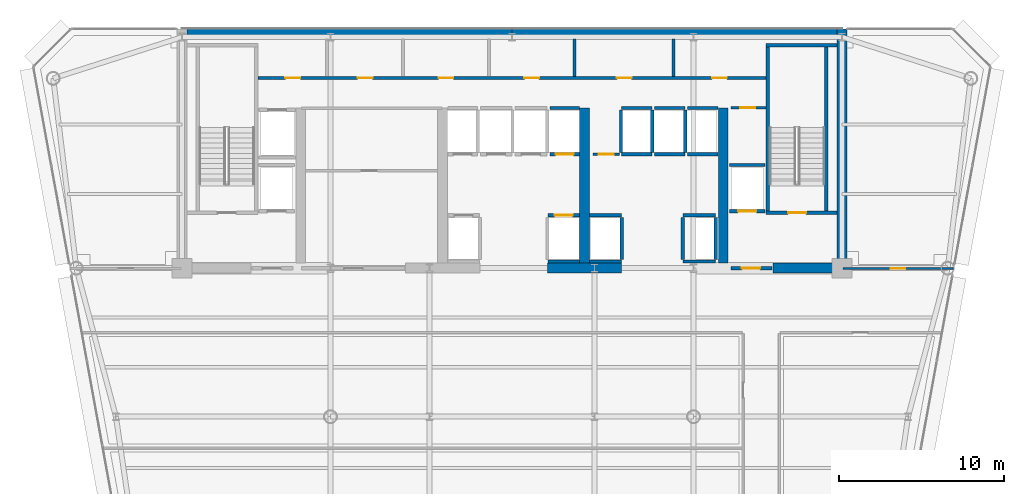
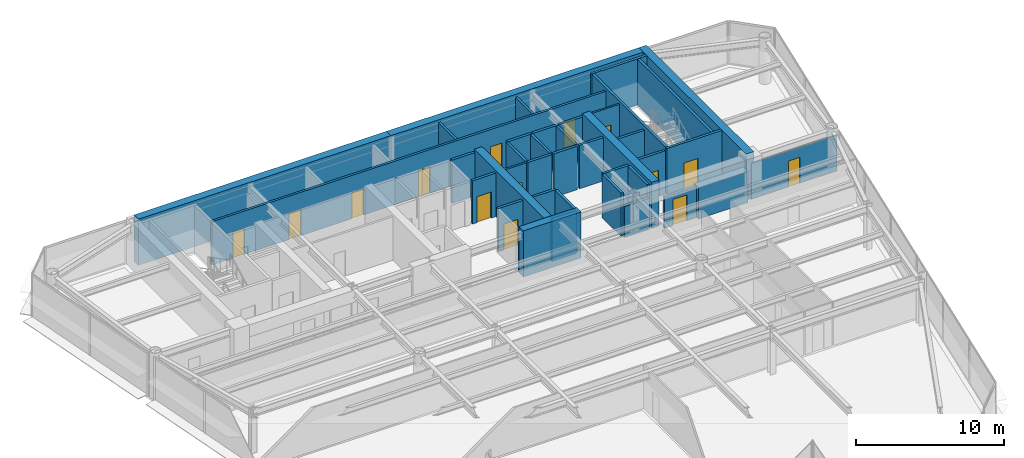
# One storey, part 12 of 17: 40 walls, 14 doors, 14 openings.
"""IFC4 building model written with IfcOpenShell, lengths in metres."""

from ifc_helpers import new_model, si_unit, direction, frame, frame_2d, origin, place, context, subcontext, project, spatial, rectangle, extrude, source, transform, mapped, material, layer, layer_set, type_object, element, fill, save


model = new_model("IFC4")

# Units and contexts
model_context = context("Model", 3, precision=1e-05, world=origin(), true_north=direction((0.0, 1.0)))
body_context = subcontext(model_context, "Body", "Model", "MODEL_VIEW")
ifc_project = project(units=[si_unit("LENGTHUNIT", "METRE"), si_unit("AREAUNIT", "SQUARE_METRE"), si_unit("VOLUMEUNIT", "CUBIC_METRE"), si_unit("PLANEANGLEUNIT", "RADIAN"), si_unit("MASSUNIT", "GRAM", prefix="KILO")], contexts=[model_context])

# Site, building, storey
site_placement = place(None, origin())
site = spatial("IfcSite", under=ifc_project, at=site_placement, CompositionType="ELEMENT")
building_placement = place(site_placement, origin())
building = spatial("IfcBuilding", under=site, at=building_placement, Name="Vaeldorn Concourse Tower", CompositionType="ELEMENT")
storey_placement = place(building_placement, frame((0.0, 0.0, 172.800048828125)))
storey = spatial("IfcBuildingStorey", under=building, at=storey_placement, Name="L44", CompositionType="ELEMENT", Elevation=172.800048828125)

# Walls
ifc_material_1 = material(Name="Concrete C50/60", Category="concrete")
ifc_layer_1 = layer(ifc_material_1, 0.60009765625)
ifc_layer_set_1 = layer_set([ifc_layer_1], Name="Concrete C50/60")
wall_type_1 = type_object("IfcWallType", Name="WL-CORE-600", PredefinedType="SHEAR", material=ifc_layer_set_1)
for number, where, z_axis, x_axis, name in (
    (1, (14.303955078125, 50.699951171875, 0.0), (0.0, 0.0, 1.0), (1.0, 0.0, 0.0), "Rear Core Shear Wall L44 N1"),
    (2, (34.001953125, 50.699951171875, 0.0), (0.0, 0.0, 1.0), (1.0, 0.0, 0.0), "Rear Core Shear Wall L44 N2"),
):
    element("IfcWall", number, at=place(storey_placement, frame(where, z_axis=z_axis, x_axis=x_axis)), inside=storey, type_object=wall_type_1, Name=name, PredefinedType="SHEAR", context=body_context, shape_type="SweptSolid", body=[
        extrude(rectangle(XDim=19.694091796875, YDim=0.60009765625, at=frame_2d((9.84716796875, 0.0))), origin(), (0.0, 0.0, 1.0), 3.800048828125),
    ])
wall_1_placement = place(storey_placement, frame((54.0, 36.5, 0.0), z_axis=(0.0, 0.0, 1.0), x_axis=(0.0, 1.0, 0.0)))
element("IfcWall", 3, at=wall_1_placement, inside=storey, type_object=wall_type_1, Name="Rear Core Shear Wall L44 E1", PredefinedType="SHEAR", context=body_context, shape_type="SweptSolid", body=[
    extrude(rectangle(XDim=14.5, YDim=0.60009765625, at=frame_2d((7.25, 0.0))), origin(), (0.0, 0.0, 1.0), 3.800048828125),
])
wall_2_placement = place(storey_placement, frame((36.14990234375, 36.5, 0.0), z_axis=(0.0, 0.0, 1.0), x_axis=(1.0, 0.0, 0.0)))
element("IfcWall", 4, at=wall_2_placement, inside=storey, type_object=wall_type_1, Name="Rear Core Shear Wall L44 S3", PredefinedType="SHEAR", context=body_context, shape_type="SweptSolid", body=[
    extrude(rectangle(XDim=4.5, YDim=0.60009765625, at=frame_2d((2.25, 0.0))), origin(), (0.0, 0.0, 1.0), 3.800048828125),
])
wall_3_placement = place(storey_placement, frame((49.800048828125, 36.5, 0.0), z_axis=(0.0, 0.0, 1.0), x_axis=(1.0, 0.0, 0.0)))
element("IfcWall", 5, at=wall_3_placement, inside=storey, type_object=wall_type_1, Name="Rear Core Shear Wall L44 S4", PredefinedType="SHEAR", context=body_context, shape_type="SweptSolid", body=[
    extrude(rectangle(XDim=3.8798828125, YDim=0.60009765625, at=frame_2d((1.93994140625, 0.0))), origin(), (0.0, 0.0, 1.0), 2.579833984375),
])
for number, where, z_axis, x_axis, name in (
    (6, (38.39990234375, 36.820068359375, 0.0), (0.0, 0.0, 1.0), (0.0, 1.0, 0.0), "Rear Core Shear Wall L44 M3"),
    (7, (46.800048828125, 36.820068359375, 0.0), (0.0, 0.0, 1.0), (0.0, 1.0, 0.0), "Rear Core Shear Wall L44 M4"),
):
    element("IfcWall", number, at=place(storey_placement, frame(where, z_axis=z_axis, x_axis=x_axis)), inside=storey, type_object=wall_type_1, Name=name, PredefinedType="SHEAR", context=body_context, shape_type="SweptSolid", body=[
        extrude(rectangle(XDim=9.3798828125, YDim=0.60009765625, at=frame_2d((4.68994140625, 0.0))), origin(), (0.0, 0.0, 1.0), 3.800048828125),
    ])

# Wall, opening, door
ifc_material_2 = material(Name="Gypsum Board Partition", Category="gypsum")
ifc_layer_2 = layer(ifc_material_2, 0.1201171875)
ifc_layer_set_2 = layer_set([ifc_layer_2], Name="Gypsum Board Partition")
wall_type_2 = type_object("IfcWallType", Name="WL-PART-120", PredefinedType="PARTITIONING", material=ifc_layer_set_2)
wall_4_placement = place(storey_placement, frame((54.06005859375, 36.47998046875, 0.0), z_axis=(0.0, 0.0, 1.0), x_axis=(1.0, 0.0, 0.0)))
wall_4 = element("IfcWall", 8, at=wall_4_placement, inside=storey, type_object=wall_type_2, Name="Interior Wall PW-L44-NES", PredefinedType="PARTITIONING", context=body_context, shape_type="SweptSolid", body=[
    extrude(rectangle(XDim=6.66552734375, YDim=0.1201171875, at=frame_2d((3.332763671875, 0.0))), origin(), (0.0, 0.0, 1.0), 2.969970703125),
])
opening_1_placement = place(wall_4_placement, frame((2.883056640625, 0.0, 0.0)))
opening_1 = element("IfcOpeningElement", 9, at=opening_1_placement, cuts=wall_4, Name="Opening D-03", PredefinedType="OPENING", context=body_context, shape_type="SweptSolid", body=[
    extrude(rectangle(XDim=0.89990234375, YDim=2.14990234375, at=frame_2d((0.449951171875, 1.074951171875))), frame((0.0, 0.070068359375, 0.0), z_axis=(0.0, -1.0, 0.0), x_axis=(1.0, 0.0, 0.0)), (0.0, 0.0, 1.0), 0.14013671875),
])
ifc_material_3 = material(Name="Acoustic Bronze-Framed Glass Door", Category="glass")
door_type_1 = type_object("IfcDoorType", Name="DR-INT-900", OperationType="NOTDEFINED", PredefinedType="DOOR", material=ifc_material_3)
shared_shape_1 = source(origin(), body_context, "Body", "SweptSolid", [
    extrude(rectangle(XDim=0.89990234375, YDim=2.14990234375, at=frame_2d((0.449951171875, 1.074951171875))), frame((0.0, 0.02490234375, 0.0), z_axis=(0.0, -1.0, 0.0), x_axis=(1.0, 0.0, 0.0)), (0.0, 0.0, 1.0), 0.050048828125),
])
door_1_placement = place(opening_1_placement, origin())
door_1 = element("IfcDoor", 10, at=door_1_placement, inside=storey, type_object=door_type_1, Name="Interior Door DR-L44-NEC", OperationType="SINGLE_SWING_RIGHT", OverallHeight=2.14990234375, OverallWidth=0.89990234375, PredefinedType="DOOR", context=body_context, shape_type="MappedRepresentation", body=[
    mapped(shared_shape_1, transform((0.0, 0.0, 0.0), scale=1.0)),
])
fill(opening_1, door_1)

ifc_layer_3 = layer(ifc_material_2, 0.14990234375)
ifc_layer_set_3 = layer_set([ifc_layer_3], Name="Gypsum Board Partition")
wall_type_3 = type_object("IfcWallType", Name="WL-PART-150", PredefinedType="PARTITIONING", material=ifc_layer_set_3)
wall_5_placement = place(storey_placement, frame((47.280029296875, 46.219970703125, 0.0), z_axis=(0.0, 0.0, 1.0), x_axis=(1.0, 0.0, 0.0)))
wall_5 = element("IfcWall", 11, at=wall_5_placement, inside=storey, type_object=wall_type_3, Name="Interior Wall CW-L44-CRSE-N", PredefinedType="PARTITIONING", context=body_context, shape_type="SweptSolid", body=[
    extrude(rectangle(XDim=2.099853515625, YDim=0.14990234375, at=frame_2d((1.0498046875, 0.0))), origin(), (0.0, 0.0, 1.0), 3.579833984375),
])
opening_2_placement = place(wall_5_placement, frame((0.550048828125, 0.0, 0.0)))
opening_2 = element("IfcOpeningElement", 12, at=opening_2_placement, cuts=wall_5, Name="Opening D-02", PredefinedType="OPENING", context=body_context, shape_type="SweptSolid", body=[
    extrude(rectangle(XDim=0.89990234375, YDim=2.10009765625, at=frame_2d((0.449951171875, 1.050048828125))), frame((0.0, 0.0849609375, 0.0), z_axis=(0.0, -1.0, 0.0), x_axis=(1.0, 0.0, 0.0)), (0.0, 0.0, 1.0), 0.169921875),
])
ifc_material_4 = material(Name="Fire-Rated Timber Leaf", Category="wood")
door_type_2 = type_object("IfcDoorType", Name="DR-FD30-900", OperationType="NOTDEFINED", PredefinedType="DOOR", material=ifc_material_4)
shared_shape_2 = source(origin(), body_context, "Body", "SweptSolid", [
    extrude(rectangle(XDim=0.89990234375, YDim=2.10009765625, at=frame_2d((0.449951171875, 1.050048828125))), frame((0.0, 0.02490234375, 0.0), z_axis=(0.0, -1.0, 0.0), x_axis=(1.0, 0.0, 0.0)), (0.0, 0.0, 1.0), 0.050048828125),
])
door_2_placement = place(opening_2_placement, origin())
door_2 = element("IfcDoor", 13, at=door_2_placement, inside=storey, type_object=door_type_2, Name="Interior Door DR-L44-CRSE", OperationType="SINGLE_SWING_RIGHT", OverallHeight=2.10009765625, OverallWidth=0.89990234375, PredefinedType="DOOR", context=body_context, shape_type="MappedRepresentation", body=[
    mapped(shared_shape_2, transform((0.0, 0.0, 0.0), scale=1.0)),
])
fill(opening_2, door_2)

wall_6_placement = place(storey_placement, frame((38.919921875, 43.39990234375, 0.0), z_axis=(0.0, 0.0, 1.0), x_axis=(1.0, 0.0, 0.0)))
wall_6 = element("IfcWall", 14, at=wall_6_placement, inside=storey, type_object=wall_type_3, Name="Interior Wall CW-L44-CCLINK", PredefinedType="PARTITIONING", context=body_context, shape_type="SweptSolid", body=[
    extrude(rectangle(XDim=1.60009765625, YDim=0.14990234375, at=frame_2d((0.800048828125, 0.0))), origin(), (0.0, 0.0, 1.0), 3.579833984375),
])
opening_3_placement = place(wall_6_placement, frame((0.35009765625, 0.0, 0.0)))
opening_3 = element("IfcOpeningElement", 15, at=opening_3_placement, cuts=wall_6, Name="Opening D-02", PredefinedType="OPENING", context=body_context, shape_type="SweptSolid", body=[
    extrude(rectangle(XDim=0.89990234375, YDim=2.10009765625, at=frame_2d((0.449951171875, 1.050048828125))), frame((0.0, 0.0849609375, 0.0), z_axis=(0.0, -1.0, 0.0), x_axis=(1.0, 0.0, 0.0)), (0.0, 0.0, 1.0), 0.169921875),
])
door_3_placement = place(opening_3_placement, origin())
door_3 = element("IfcDoor", 16, at=door_3_placement, inside=storey, type_object=door_type_2, Name="Interior Door DR-L44-CCLINK", OperationType="SINGLE_SWING_LEFT", OverallHeight=2.10009765625, OverallWidth=0.89990234375, PredefinedType="DOOR", context=body_context, shape_type="MappedRepresentation", body=[
    mapped(shared_shape_2, transform((0.0, 0.0, 0.0), scale=1.0)),
])
fill(opening_3, door_3)

# Wall, openings, doors
ifc_layer_4 = layer(ifc_material_2, 0.179931640625)
ifc_layer_set_4 = layer_set([ifc_layer_4], Name="Gypsum Board Partition")
wall_type_4 = type_object("IfcWallType", Name="WL-PLUMB-180", PredefinedType="PLUMBINGWALL", material=ifc_layer_set_4)
wall_7_placement = place(storey_placement, frame((18.6201171875, 48.02001953125, 0.0), z_axis=(0.0, 0.0, 1.0), x_axis=(1.0, 0.0, 0.0)))
wall_7 = element("IfcWall", 17, at=wall_7_placement, inside=storey, type_object=wall_type_4, Name="Interior Wall CW-L44-NS3", PredefinedType="PLUMBINGWALL", context=body_context, shape_type="SweptSolid", body=[
    extrude(rectangle(XDim=30.759765625, YDim=0.179931640625, at=frame_2d((15.3798828125, 0.0))), origin(), (0.0, 0.0, 1.0), 3.579833984375),
])
opening_4_placement = place(wall_7_placement, frame((1.655029296875, 0.0, 0.0)))
opening_4 = element("IfcOpeningElement", 18, at=opening_4_placement, cuts=wall_7, Name="Opening D-03", PredefinedType="OPENING", context=body_context, shape_type="SweptSolid", body=[
    extrude(rectangle(XDim=0.89990234375, YDim=2.14990234375, at=frame_2d((0.449951171875, 1.074951171875))), frame((0.0, 0.10009765625, 0.0), z_axis=(0.0, -1.0, 0.0), x_axis=(1.0, 0.0, 0.0)), (0.0, 0.0, 1.0), 0.199951171875),
])
opening_5_placement = place(wall_7_placement, frame((6.030029296875, 0.0, 0.0)))
opening_5 = element("IfcOpeningElement", 19, at=opening_5_placement, cuts=wall_7, Name="Opening D-03", PredefinedType="OPENING", context=body_context, shape_type="SweptSolid", body=[
    extrude(rectangle(XDim=0.89990234375, YDim=2.14990234375, at=frame_2d((0.449951171875, 1.074951171875))), frame((0.0, 0.10009765625, 0.0), z_axis=(0.0, -1.0, 0.0), x_axis=(1.0, 0.0, 0.0)), (0.0, 0.0, 1.0), 0.199951171875),
])
opening_6_placement = place(wall_7_placement, frame((10.929931640625, 0.0, 0.0)))
opening_6 = element("IfcOpeningElement", 20, at=opening_6_placement, cuts=wall_7, Name="Opening D-03", PredefinedType="OPENING", context=body_context, shape_type="SweptSolid", body=[
    extrude(rectangle(XDim=0.89990234375, YDim=2.14990234375, at=frame_2d((0.449951171875, 1.074951171875))), frame((0.0, 0.10009765625, 0.0), z_axis=(0.0, -1.0, 0.0), x_axis=(1.0, 0.0, 0.0)), (0.0, 0.0, 1.0), 0.199951171875),
])
opening_7_placement = place(wall_7_placement, frame((16.1298828125, 0.0, 0.0)))
opening_7 = element("IfcOpeningElement", 21, at=opening_7_placement, cuts=wall_7, Name="Opening D-03", PredefinedType="OPENING", context=body_context, shape_type="SweptSolid", body=[
    extrude(rectangle(XDim=0.89990234375, YDim=2.14990234375, at=frame_2d((0.449951171875, 1.074951171875))), frame((0.0, 0.10009765625, 0.0), z_axis=(0.0, -1.0, 0.0), x_axis=(1.0, 0.0, 0.0)), (0.0, 0.0, 1.0), 0.199951171875),
])
opening_8_placement = place(wall_7_placement, frame((21.72998046875, 0.0, 0.0)))
opening_8 = element("IfcOpeningElement", 22, at=opening_8_placement, cuts=wall_7, Name="Opening D-03", PredefinedType="OPENING", context=body_context, shape_type="SweptSolid", body=[
    extrude(rectangle(XDim=0.89990234375, YDim=2.14990234375, at=frame_2d((0.449951171875, 1.074951171875))), frame((0.0, 0.10009765625, 0.0), z_axis=(0.0, -1.0, 0.0), x_axis=(1.0, 0.0, 0.0)), (0.0, 0.0, 1.0), 0.199951171875),
])
opening_9_placement = place(wall_7_placement, frame((27.5048828125, 0.0, 0.0)))
opening_9 = element("IfcOpeningElement", 23, at=opening_9_placement, cuts=wall_7, Name="Opening D-03", PredefinedType="OPENING", context=body_context, shape_type="SweptSolid", body=[
    extrude(rectangle(XDim=0.89990234375, YDim=2.14990234375, at=frame_2d((0.449951171875, 1.074951171875))), frame((0.0, 0.10009765625, 0.0), z_axis=(0.0, -1.0, 0.0), x_axis=(1.0, 0.0, 0.0)), (0.0, 0.0, 1.0), 0.199951171875),
])
door_4_placement = place(opening_4_placement, origin())
door_4 = element("IfcDoor", 24, at=door_4_placement, inside=storey, type_object=door_type_1, Name="Interior Door DR-L44-CS1", OperationType="SINGLE_SWING_LEFT", OverallHeight=2.14990234375, OverallWidth=0.89990234375, PredefinedType="DOOR", context=body_context, shape_type="MappedRepresentation", body=[
    mapped(shared_shape_1, transform((0.0, 0.0, 0.0), scale=1.0)),
])
fill(opening_4, door_4)
door_5_placement = place(opening_5_placement, origin())
door_5 = element("IfcDoor", 25, at=door_5_placement, inside=storey, type_object=door_type_1, Name="Interior Door DR-L44-CS2", OperationType="SINGLE_SWING_RIGHT", OverallHeight=2.14990234375, OverallWidth=0.89990234375, PredefinedType="DOOR", context=body_context, shape_type="MappedRepresentation", body=[
    mapped(shared_shape_1, transform((0.0, 0.0, 0.0), scale=1.0)),
])
fill(opening_5, door_5)
door_6_placement = place(opening_6_placement, origin())
door_6 = element("IfcDoor", 26, at=door_6_placement, inside=storey, type_object=door_type_1, Name="Interior Door DR-L44-CS3", OperationType="SINGLE_SWING_LEFT", OverallHeight=2.14990234375, OverallWidth=0.89990234375, PredefinedType="DOOR", context=body_context, shape_type="MappedRepresentation", body=[
    mapped(shared_shape_1, transform((0.0, 0.0, 0.0), scale=1.0)),
])
fill(opening_6, door_6)
door_7_placement = place(opening_7_placement, origin())
door_7 = element("IfcDoor", 27, at=door_7_placement, inside=storey, type_object=door_type_1, Name="Interior Door DR-L44-CS4", OperationType="SINGLE_SWING_RIGHT", OverallHeight=2.14990234375, OverallWidth=0.89990234375, PredefinedType="DOOR", context=body_context, shape_type="MappedRepresentation", body=[
    mapped(shared_shape_1, transform((0.0, 0.0, 0.0), scale=1.0)),
])
fill(opening_7, door_7)
door_8_placement = place(opening_8_placement, origin())
door_8 = element("IfcDoor", 28, at=door_8_placement, inside=storey, type_object=door_type_1, Name="Interior Door DR-L44-CS5", OperationType="SINGLE_SWING_LEFT", OverallHeight=2.14990234375, OverallWidth=0.89990234375, PredefinedType="DOOR", context=body_context, shape_type="MappedRepresentation", body=[
    mapped(shared_shape_1, transform((0.0, 0.0, 0.0), scale=1.0)),
])
fill(opening_8, door_8)
door_9_placement = place(opening_9_placement, origin())
door_9 = element("IfcDoor", 29, at=door_9_placement, inside=storey, type_object=door_type_1, Name="Interior Door DR-L44-CS6", OperationType="SINGLE_SWING_RIGHT", OverallHeight=2.14990234375, OverallWidth=0.89990234375, PredefinedType="DOOR", context=body_context, shape_type="MappedRepresentation", body=[
    mapped(shared_shape_1, transform((0.0, 0.0, 0.0), scale=1.0)),
])
fill(opening_9, door_9)

# Walls
for number, where, z_axis, x_axis, name in (
    (30, (37.800048828125, 48.10009765625, 0.0), (0.0, 0.0, 1.0), (0.0, 1.0, 0.0), "Interior Wall CW-L44-NDIV4"),
    (31, (43.800048828125, 48.10009765625, 0.0), (0.0, 0.0, 1.0), (0.0, 1.0, 0.0), "Interior Wall CW-L44-NDIV5"),
):
    element("IfcWall", number, at=place(storey_placement, frame(where, z_axis=z_axis, x_axis=x_axis)), inside=storey, type_object=wall_type_4, Name=name, PredefinedType="PLUMBINGWALL", context=body_context, shape_type="SweptSolid", body=[
        extrude(rectangle(XDim=2.27978515625, YDim=0.179931640625, at=frame_2d((1.139892578125, 0.0))), origin(), (0.0, 0.0, 1.0), 3.579833984375),
    ])

# Wall, opening, door
ifc_layer_5 = layer(ifc_material_1, 0.199951171875)
ifc_layer_set_5 = layer_set([ifc_layer_5], Name="Concrete C50/60")
wall_type_5 = type_object("IfcWallType", Name="WL-SHAFT-200", PredefinedType="SOLIDWALL", material=ifc_layer_set_5)
wall_8_placement = place(storey_placement, frame((49.39990234375, 39.85009765625, 0.0), z_axis=(0.0, 0.0, 1.0), x_axis=(1.0, 0.0, 0.0)))
wall_8 = element("IfcWall", 32, at=wall_8_placement, inside=storey, type_object=wall_type_5, Name="Stair Shaft Wall CW-L44-ST-2-S", PredefinedType="SOLIDWALL", context=body_context, shape_type="SweptSolid", body=[
    extrude(rectangle(XDim=4.300048828125, YDim=0.199951171875, at=frame_2d((2.14990234375, 0.0))), origin(), (0.0, 0.0, 1.0), 3.800048828125),
])
opening_10_placement = place(wall_8_placement, frame((1.324951171875, 0.0, 0.0)))
opening_10 = element("IfcOpeningElement", 33, at=opening_10_placement, cuts=wall_8, Name="Opening D-01", PredefinedType="OPENING", context=body_context, shape_type="SweptSolid", body=[
    extrude(rectangle(XDim=1.10009765625, YDim=2.14990234375, at=frame_2d((0.550048828125, 1.074951171875))), frame((0.0, 0.10986328125, 0.0), z_axis=(0.0, -1.0, 0.0), x_axis=(1.0, 0.0, 0.0)), (0.0, 0.0, 1.0), 0.219970703125),
])
ifc_material_5 = material(Name="Fire-Rated Timber and Steel Leaf", Category="steel")
door_type_3 = type_object("IfcDoorType", Name="DR-FD60-1100", OperationType="NOTDEFINED", PredefinedType="DOOR", material=ifc_material_5)
shared_shape_3 = source(origin(), body_context, "Body", "SweptSolid", [
    extrude(rectangle(XDim=1.10009765625, YDim=2.14990234375, at=frame_2d((0.550048828125, 1.074951171875))), frame((0.0, 0.02490234375, 0.0), z_axis=(0.0, -1.0, 0.0), x_axis=(1.0, 0.0, 0.0)), (0.0, 0.0, 1.0), 0.050048828125),
])
door_10_placement = place(opening_10_placement, origin())
door_10 = element("IfcDoor", 34, at=door_10_placement, inside=storey, type_object=door_type_3, Name="Interior Door DR-L44-ST-2", OperationType="SINGLE_SWING_RIGHT", OverallHeight=2.14990234375, OverallWidth=1.10009765625, PredefinedType="DOOR", context=body_context, shape_type="MappedRepresentation", body=[
    mapped(shared_shape_3, transform((0.0, 0.0, 0.0), scale=1.0)),
])
fill(opening_10, door_10)

# Walls
wall_9_placement = place(storey_placement, frame((49.39990234375, 50.0, 0.0), z_axis=(0.0, 0.0, 1.0), x_axis=(1.0, 0.0, 0.0)))
element("IfcWall", 35, at=wall_9_placement, inside=storey, type_object=wall_type_5, Name="Stair Shaft Wall CW-L44-ST-2-N", PredefinedType="SOLIDWALL", context=body_context, shape_type="SweptSolid", body=[
    extrude(rectangle(XDim=4.300048828125, YDim=0.199951171875, at=frame_2d((2.14990234375, 0.0))), origin(), (0.0, 0.0, 1.0), 3.800048828125),
])
for number, where, z_axis, x_axis, name in (
    (36, (49.5, 39.9599609375, 0.0), (0.0, 0.0, 1.0), (0.0, 1.0, 0.0), "Stair Shaft Wall CW-L44-ST-2-W"),
    (37, (53.050048828125, 39.9599609375, 0.0), (0.0, 0.0, 1.0), (0.0, 1.0, 0.0), "Stair Shaft Wall CW-L44-ST-2-E"),
):
    element("IfcWall", number, at=place(storey_placement, frame(where, z_axis=z_axis, x_axis=x_axis)), inside=storey, type_object=wall_type_5, Name=name, PredefinedType="SOLIDWALL", context=body_context, shape_type="SweptSolid", body=[
        extrude(rectangle(XDim=9.929931640625, YDim=0.199951171875, at=frame_2d((4.96484375, 0.0))), origin(), (0.0, 0.0, 1.0), 3.800048828125),
    ])

# Wall, opening, door
wall_10_placement = place(storey_placement, frame((47.280029296875, 36.5, 0.0), z_axis=(0.0, 0.0, 1.0), x_axis=(1.0, 0.0, 0.0)))
wall_10 = element("IfcWall", 38, at=wall_10_placement, inside=storey, type_object=wall_type_5, Name="Interior Wall CW-L44-FF2S", PredefinedType="SOLIDWALL", context=body_context, shape_type="SweptSolid", body=[
    extrude(rectangle(XDim=2.469970703125, YDim=0.199951171875, at=frame_2d((1.23486328125, 0.0))), origin(), (0.0, 0.0, 1.0), 2.570068359375),
])
opening_11_placement = place(wall_10_placement, frame((0.64990234375, 0.0, 0.0)))
opening_11 = element("IfcOpeningElement", 39, at=opening_11_placement, cuts=wall_10, Name="Opening D-01", PredefinedType="OPENING", context=body_context, shape_type="SweptSolid", body=[
    extrude(rectangle(XDim=1.10009765625, YDim=2.14990234375, at=frame_2d((0.550048828125, 1.074951171875))), frame((0.0, 0.10986328125, 0.0), z_axis=(0.0, -1.0, 0.0), x_axis=(1.0, 0.0, 0.0)), (0.0, 0.0, 1.0), 0.219970703125),
])
door_11_placement = place(opening_11_placement, origin())
door_11 = element("IfcDoor", 40, at=door_11_placement, inside=storey, type_object=door_type_3, Name="Interior Door DR-L44-FF2W", OperationType="SINGLE_SWING_LEFT", OverallHeight=2.14990234375, OverallWidth=1.10009765625, PredefinedType="DOOR", context=body_context, shape_type="MappedRepresentation", body=[
    mapped(shared_shape_3, transform((0.0, 0.0, 0.0), scale=1.0)),
])
fill(opening_11, door_11)

wall_11_placement = place(storey_placement, frame((36.169921875, 39.699951171875, 0.0), z_axis=(0.0, 0.0, 1.0), x_axis=(1.0, 0.0, 0.0)))
wall_11 = element("IfcWall", 41, at=wall_11_placement, inside=storey, type_object=wall_type_5, Name="Interior Wall CW-L44-LF-LF-08", PredefinedType="SOLIDWALL", context=body_context, shape_type="SweptSolid", body=[
    extrude(rectangle(XDim=1.920166015625, YDim=0.199951171875, at=frame_2d((0.9599609375, 0.0))), origin(), (0.0, 0.0, 1.0), 3.579833984375),
])
opening_12_placement = place(wall_11_placement, frame((0.409912109375, 0.0, 0.0)))
opening_12 = element("IfcOpeningElement", 42, at=opening_12_placement, cuts=wall_11, Name="Opening LD-1", PredefinedType="OPENING", context=body_context, shape_type="SweptSolid", body=[
    extrude(rectangle(XDim=1.10009765625, YDim=2.14990234375, at=frame_2d((0.550048828125, 1.074951171875))), frame((0.0, 0.10986328125, 0.0), z_axis=(0.0, -1.0, 0.0), x_axis=(1.0, 0.0, 0.0)), (0.0, 0.0, 1.0), 0.219970703125),
])
ifc_material_6 = material(Name="Anodised Bronze Aluminium", Category="aluminium")
door_type_4 = type_object("IfcDoorType", Name="DR-LIFT-SLIDE-1100", OperationType="DOUBLE_DOOR_SLIDING", PredefinedType="DOOR", material=ifc_material_6)
door_12_placement = place(opening_12_placement, origin())
door_12 = element("IfcDoor", 43, at=door_12_placement, inside=storey, type_object=door_type_4, Name="Lift Landing Door LD-L44-LF-08", OperationType="DOUBLE_DOOR_SLIDING", OverallHeight=2.14990234375, OverallWidth=1.10009765625, PredefinedType="DOOR", context=body_context, shape_type="MappedRepresentation", body=[
    mapped(shared_shape_3, transform((0.0, 0.0, 0.0), scale=1.0)),
])
fill(opening_12, door_12)

# Wall
wall_12_placement = place(storey_placement, frame((36.169921875, 36.89990234375, 0.0), z_axis=(0.0, 0.0, 1.0), x_axis=(1.0, 0.0, 0.0)))
element("IfcWall", 44, at=wall_12_placement, inside=storey, type_object=wall_type_5, Name="Interior Wall CW-L44-LFB-LF-08", PredefinedType="SOLIDWALL", context=body_context, shape_type="SweptSolid", body=[
    extrude(rectangle(XDim=1.920166015625, YDim=0.199951171875, at=frame_2d((0.9599609375, 0.0))), origin(), (0.0, 0.0, 1.0), 3.579833984375),
])

# Wall, opening, door
wall_13_placement = place(storey_placement, frame((36.2900390625, 43.39990234375, 0.0), z_axis=(0.0, 0.0, 1.0), x_axis=(1.0, 0.0, 0.0)))
wall_13 = element("IfcWall", 45, at=wall_13_placement, inside=storey, type_object=wall_type_5, Name="Interior Wall CW-L44-LF-LF-12", PredefinedType="SOLIDWALL", context=body_context, shape_type="SweptSolid", body=[
    extrude(rectangle(XDim=1.800048828125, YDim=0.199951171875, at=frame_2d((0.89990234375, 0.0))), origin(), (0.0, 0.0, 1.0), 3.579833984375),
])
opening_13_placement = place(wall_13_placement, frame((0.35009765625, 0.0, 0.0)))
opening_13 = element("IfcOpeningElement", 46, at=opening_13_placement, cuts=wall_13, Name="Opening LD-1", PredefinedType="OPENING", context=body_context, shape_type="SweptSolid", body=[
    extrude(rectangle(XDim=1.10009765625, YDim=2.14990234375, at=frame_2d((0.550048828125, 1.074951171875))), frame((0.0, 0.10986328125, 0.0), z_axis=(0.0, -1.0, 0.0), x_axis=(1.0, 0.0, 0.0)), (0.0, 0.0, 1.0), 0.219970703125),
])
door_13_placement = place(opening_13_placement, origin())
door_13 = element("IfcDoor", 47, at=door_13_placement, inside=storey, type_object=door_type_4, Name="Lift Landing Door LD-L44-LF-12", OperationType="DOUBLE_DOOR_SLIDING", OverallHeight=2.14990234375, OverallWidth=1.10009765625, PredefinedType="DOOR", context=body_context, shape_type="MappedRepresentation", body=[
    mapped(shared_shape_3, transform((0.0, 0.0, 0.0), scale=1.0)),
])
fill(opening_13, door_13)

# Walls
wall_14_placement = place(storey_placement, frame((36.2900390625, 46.199951171875, 0.0), z_axis=(0.0, 0.0, 1.0), x_axis=(1.0, 0.0, 0.0)))
element("IfcWall", 48, at=wall_14_placement, inside=storey, type_object=wall_type_5, Name="Interior Wall CW-L44-LFB-LF-12", PredefinedType="SOLIDWALL", context=body_context, shape_type="SweptSolid", body=[
    extrude(rectangle(XDim=1.800048828125, YDim=0.199951171875, at=frame_2d((0.89990234375, 0.0))), origin(), (0.0, 0.0, 1.0), 3.579833984375),
])
for number, where, z_axis, x_axis, name in (
    (49, (38.7099609375, 39.699951171875, 0.0), (0.0, 0.0, 1.0), (1.0, 0.0, 0.0), "Interior Wall CW-L44-LF-LF-13"),
    (50, (38.7099609375, 36.89990234375, 0.0), (0.0, 0.0, 1.0), (1.0, 0.0, 0.0), "Interior Wall CW-L44-LFB-LF-13"),
):
    element("IfcWall", number, at=place(storey_placement, frame(where, z_axis=z_axis, x_axis=x_axis)), inside=storey, type_object=wall_type_5, Name=name, PredefinedType="SOLIDWALL", context=body_context, shape_type="SweptSolid", body=[
        extrude(rectangle(XDim=1.919921875, YDim=0.199951171875, at=frame_2d((0.9599609375, 0.0))), origin(), (0.0, 0.0, 1.0), 3.579833984375),
    ])
wall_15_placement = place(storey_placement, frame((40.64990234375, 37.02001953125, 0.0), z_axis=(0.0, 0.0, 1.0), x_axis=(0.0, 1.0, 0.0)))
element("IfcWall", 51, at=wall_15_placement, inside=storey, type_object=wall_type_5, Name="Interior Wall CW-L44-LFE-LF-13", PredefinedType="SOLIDWALL", context=body_context, shape_type="SweptSolid", body=[
    extrude(rectangle(XDim=2.56005859375, YDim=0.199951171875, at=frame_2d((1.280029296875, 0.0))), origin(), (0.0, 0.0, 1.0), 3.579833984375),
])
wall_16_placement = place(storey_placement, frame((44.3701171875, 39.699951171875, 0.0), z_axis=(0.0, 0.0, 1.0), x_axis=(1.0, 0.0, 0.0)))
element("IfcWall", 52, at=wall_16_placement, inside=storey, type_object=wall_type_5, Name="Interior Wall CW-L44-LF-LF-14", PredefinedType="SOLIDWALL", context=body_context, shape_type="SweptSolid", body=[
    extrude(rectangle(XDim=1.9599609375, YDim=0.199951171875, at=frame_2d((0.97998046875, 0.0))), origin(), (0.0, 0.0, 1.0), 3.579833984375),
])
wall_17_placement = place(storey_placement, frame((44.3701171875, 36.89990234375, 0.0), z_axis=(0.0, 0.0, 1.0), x_axis=(1.0, 0.0, 0.0)))
element("IfcWall", 53, at=wall_17_placement, inside=storey, type_object=wall_type_5, Name="Interior Wall CW-L44-LFB-LF-14", PredefinedType="SOLIDWALL", context=body_context, shape_type="SweptSolid", body=[
    extrude(rectangle(XDim=1.9599609375, YDim=0.199951171875, at=frame_2d((0.97998046875, 0.0))), origin(), (0.0, 0.0, 1.0), 2.570068359375),
])
for number, where, z_axis, x_axis, name in (
    (54, (44.35009765625, 37.02001953125, 0.0), (0.0, 0.0, 1.0), (0.0, 1.0, 0.0), "Interior Wall CW-L44-LFW-LF-14"),
    (55, (46.35009765625, 37.02001953125, 0.0), (0.0, 0.0, 1.0), (0.0, 1.0, 0.0), "Interior Wall CW-L44-LFE-LF-14"),
):
    element("IfcWall", number, at=place(storey_placement, frame(where, z_axis=z_axis, x_axis=x_axis)), inside=storey, type_object=wall_type_5, Name=name, PredefinedType="SOLIDWALL", context=body_context, shape_type="SweptSolid", body=[
        extrude(rectangle(XDim=2.56005859375, YDim=0.199951171875, at=frame_2d((1.280029296875, 0.0))), origin(), (0.0, 0.0, 1.0), 3.579833984375),
    ])
for number, where, z_axis, x_axis, name in (
    (56, (40.6201171875, 43.39990234375, 0.0), (0.0, 0.0, 1.0), (1.0, 0.0, 0.0), "Interior Wall CW-L44-LF-LF-15"),
    (57, (40.6201171875, 46.199951171875, 0.0), (0.0, 0.0, 1.0), (1.0, 0.0, 0.0), "Interior Wall CW-L44-LFB-LF-15"),
):
    element("IfcWall", number, at=place(storey_placement, frame(where, z_axis=z_axis, x_axis=x_axis)), inside=storey, type_object=wall_type_5, Name=name, PredefinedType="SOLIDWALL", context=body_context, shape_type="SweptSolid", body=[
        extrude(rectangle(XDim=1.85986328125, YDim=0.199951171875, at=frame_2d((0.929931640625, 0.0))), origin(), (0.0, 0.0, 1.0), 3.579833984375),
    ])
for number, where, z_axis, x_axis, name in (
    (58, (40.60009765625, 43.52001953125, 0.0), (0.0, 0.0, 1.0), (0.0, 1.0, 0.0), "Interior Wall CW-L44-LFW-LF-15"),
    (59, (42.5, 43.52001953125, 0.0), (0.0, 0.0, 1.0), (0.0, 1.0, 0.0), "Interior Wall CW-L44-LFE-LF-15"),
):
    element("IfcWall", number, at=place(storey_placement, frame(where, z_axis=z_axis, x_axis=x_axis)), inside=storey, type_object=wall_type_5, Name=name, PredefinedType="SOLIDWALL", context=body_context, shape_type="SweptSolid", body=[
        extrude(rectangle(XDim=2.56005859375, YDim=0.199951171875, at=frame_2d((1.280029296875, 0.0))), origin(), (0.0, 0.0, 1.0), 3.579833984375),
    ])
for number, where, z_axis, x_axis, name in (
    (60, (42.6201171875, 43.39990234375, 0.0), (0.0, 0.0, 1.0), (1.0, 0.0, 0.0), "Interior Wall CW-L44-LF-LF-16"),
    (61, (42.6201171875, 46.199951171875, 0.0), (0.0, 0.0, 1.0), (1.0, 0.0, 0.0), "Interior Wall CW-L44-LFB-LF-16"),
):
    element("IfcWall", number, at=place(storey_placement, frame(where, z_axis=z_axis, x_axis=x_axis)), inside=storey, type_object=wall_type_5, Name=name, PredefinedType="SOLIDWALL", context=body_context, shape_type="SweptSolid", body=[
        extrude(rectangle(XDim=1.85986328125, YDim=0.199951171875, at=frame_2d((0.929931640625, 0.0))), origin(), (0.0, 0.0, 1.0), 3.579833984375),
    ])
wall_18_placement = place(storey_placement, frame((44.5, 43.52001953125, 0.0), z_axis=(0.0, 0.0, 1.0), x_axis=(0.0, 1.0, 0.0)))
element("IfcWall", 62, at=wall_18_placement, inside=storey, type_object=wall_type_5, Name="Interior Wall CW-L44-LFE-LF-16", PredefinedType="SOLIDWALL", context=body_context, shape_type="SweptSolid", body=[
    extrude(rectangle(XDim=2.56005859375, YDim=0.199951171875, at=frame_2d((1.280029296875, 0.0))), origin(), (0.0, 0.0, 1.0), 3.579833984375),
])
for number, where, z_axis, x_axis, name in (
    (63, (44.6201171875, 43.39990234375, 0.0), (0.0, 0.0, 1.0), (1.0, 0.0, 0.0), "Interior Wall CW-L44-LF-LF-17"),
    (64, (44.6201171875, 46.199951171875, 0.0), (0.0, 0.0, 1.0), (1.0, 0.0, 0.0), "Interior Wall CW-L44-LFB-LF-17"),
):
    element("IfcWall", number, at=place(storey_placement, frame(where, z_axis=z_axis, x_axis=x_axis)), inside=storey, type_object=wall_type_5, Name=name, PredefinedType="SOLIDWALL", context=body_context, shape_type="SweptSolid", body=[
        extrude(rectangle(XDim=1.85986328125, YDim=0.199951171875, at=frame_2d((0.929931640625, 0.0))), origin(), (0.0, 0.0, 1.0), 3.579833984375),
    ])

# Wall, opening, door
wall_19_placement = place(storey_placement, frame((47.169921875, 39.949951171875, 0.0), z_axis=(0.0, 0.0, 1.0), x_axis=(1.0, 0.0, 0.0)))
wall_19 = element("IfcWall", 65, at=wall_19_placement, inside=storey, type_object=wall_type_5, Name="Interior Wall CW-L44-LF-LF-FF2", PredefinedType="SOLIDWALL", context=body_context, shape_type="SweptSolid", body=[
    extrude(rectangle(XDim=2.16015625, YDim=0.199951171875, at=frame_2d((1.080078125, 0.0))), origin(), (0.0, 0.0, 1.0), 3.579833984375),
])
opening_14_placement = place(wall_19_placement, frame((0.530029296875, 0.0, 0.0)))
opening_14 = element("IfcOpeningElement", 66, at=opening_14_placement, cuts=wall_19, Name="Opening LD-1", PredefinedType="OPENING", context=body_context, shape_type="SweptSolid", body=[
    extrude(rectangle(XDim=1.10009765625, YDim=2.14990234375, at=frame_2d((0.550048828125, 1.074951171875))), frame((0.0, 0.10986328125, 0.0), z_axis=(0.0, -1.0, 0.0), x_axis=(1.0, 0.0, 0.0)), (0.0, 0.0, 1.0), 0.219970703125),
])
door_14_placement = place(opening_14_placement, origin())
door_14 = element("IfcDoor", 67, at=door_14_placement, inside=storey, type_object=door_type_4, Name="Lift Landing Door LD-L44-LF-FF2", OperationType="DOUBLE_DOOR_SLIDING", OverallHeight=2.14990234375, OverallWidth=1.10009765625, PredefinedType="DOOR", context=body_context, shape_type="MappedRepresentation", body=[
    mapped(shared_shape_3, transform((0.0, 0.0, 0.0), scale=1.0)),
])
fill(opening_14, door_14)

# Wall
wall_20_placement = place(storey_placement, frame((47.169921875, 42.75, 0.0), z_axis=(0.0, 0.0, 1.0), x_axis=(1.0, 0.0, 0.0)))
element("IfcWall", 68, at=wall_20_placement, inside=storey, type_object=wall_type_5, Name="Interior Wall CW-L44-LFB-LF-FF2", PredefinedType="SOLIDWALL", context=body_context, shape_type="SweptSolid", body=[
    extrude(rectangle(XDim=2.16015625, YDim=0.199951171875, at=frame_2d((1.080078125, 0.0))), origin(), (0.0, 0.0, 1.0), 3.579833984375),
])

save(model, "model.ifc")
